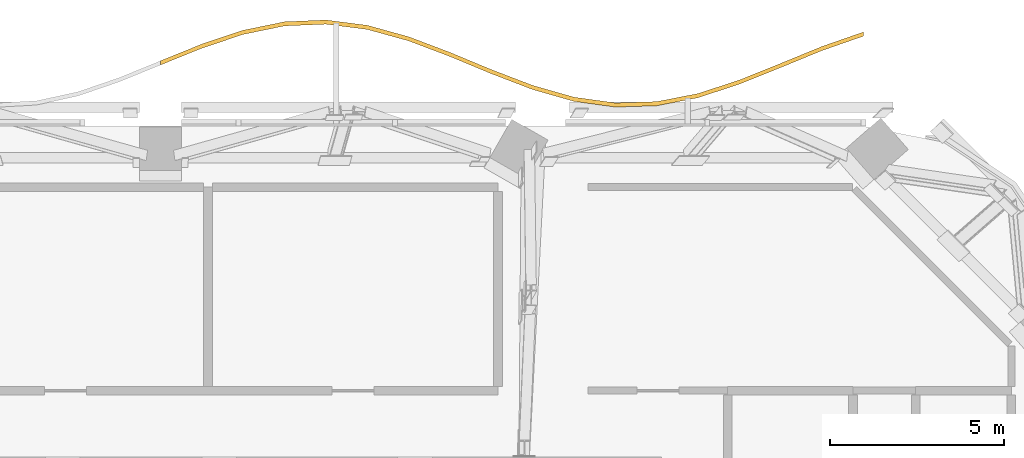
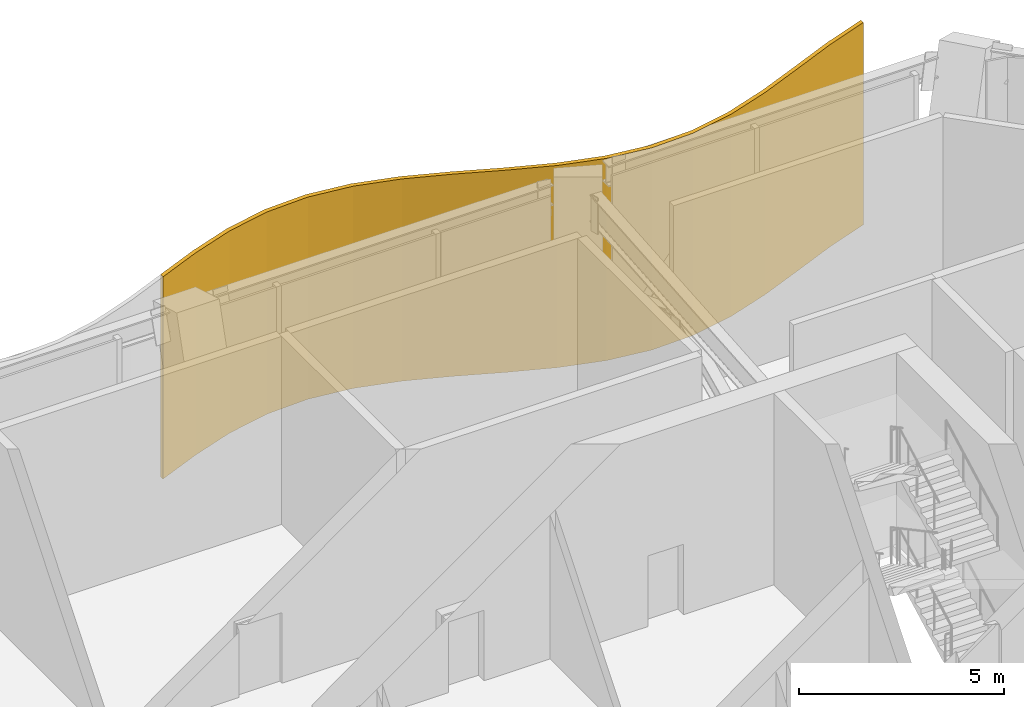
# One storey, part 26 of 26: 1 shading device.
"""IFC4 building model written with IfcOpenShell, lengths in metres."""

from ifc_helpers import new_model, si_unit, direction, frame, origin, place, context, subcontext, project, spatial, polyline, outline, extrude, material, layer, layer_set, type_object, element, save


model = new_model("IFC4")

# Units and contexts
model_context = context("Model", 3, precision=1e-05, world=origin(), true_north=direction((0.0, 1.0)))
body_context = subcontext(model_context, "Body", "Model", "MODEL_VIEW")
ifc_project = project(units=[si_unit("LENGTHUNIT", "METRE"), si_unit("AREAUNIT", "SQUARE_METRE"), si_unit("VOLUMEUNIT", "CUBIC_METRE"), si_unit("PLANEANGLEUNIT", "RADIAN"), si_unit("MASSUNIT", "GRAM", prefix="KILO")], contexts=[model_context])

# Site, building, storey
site_placement = place(None, origin())
site = spatial("IfcSite", under=ifc_project, at=site_placement, CompositionType="ELEMENT")
building_placement = place(site_placement, origin())
building = spatial("IfcBuilding", under=site, at=building_placement, Name="Mopane Tessera Tower", CompositionType="ELEMENT")
storey_placement = place(building_placement, frame((0.0, 0.0, 205.0)))
storey = spatial("IfcBuildingStorey", under=building, at=storey_placement, Name="L43", CompositionType="ELEMENT", Elevation=205.0)

# Shading device
ifc_material = material(Name="Anodised aluminium louvre blades", Category="aluminium")
ifc_layer = layer(ifc_material, 0.1201171875)
ifc_layer_set = layer_set([ifc_layer], Name="Anodised aluminium louvre blades")
shading_device_type = type_object("IfcShadingDeviceType", Name="Wave louvre screen", PredefinedType="JALOUSIE", material=ifc_layer_set)
shading_device_placement = place(storey_placement, frame((0.0, 0.0, -0.419921875)))
element("IfcShadingDevice", 1, at=shading_device_placement, inside=storey, type_object=shading_device_type, Name="e:lv:L43:N:0", PredefinedType="JALOUSIE", context=body_context, shape_type="SweptSolid", body=[
    extrude(outline(polyline([(20.199951171875, 25.588623046875), (19.01171875, 25.174560546875), (17.823486328125, 24.68701171875), (16.63525390625, 24.20849609375), (15.447021484375, 23.820068359375), (14.2587890625, 23.58740234375), (13.070556640625, 23.550537109375), (11.88232421875, 23.71533203125), (10.694091796875, 24.0537109375), (9.505859375, 24.508544921875), (8.317626953125, 25.002685546875), (7.12939453125, 25.452392578125), (5.941162109375, 25.781005859375), (4.7529296875, 25.933349609375), (3.564697265625, 25.883056640625), (2.37646484375, 25.63916015625), (1.188232421875, 25.24267578125), (0.0, 24.760986328125), (0.0, 24.880859375), (1.188232421875, 25.36279296875), (2.37646484375, 25.759033203125), (3.564697265625, 26.003173828125), (4.7529296875, 26.05322265625), (5.941162109375, 25.901123046875), (7.12939453125, 25.572265625), (8.317626953125, 25.122802734375), (9.505859375, 24.628662109375), (10.694091796875, 24.173828125), (11.88232421875, 23.835205078125), (13.070556640625, 23.67041015625), (14.2587890625, 23.70751953125), (15.447021484375, 23.93994140625), (16.63525390625, 24.328369140625), (17.823486328125, 24.80712890625), (19.01171875, 25.294677734375), (20.199951171875, 25.70849609375), (20.199951171875, 25.588623046875)])), origin(), (0.0, 0.0, 1.0), 6.02001953125),
])

save(model, "model.ifc")
